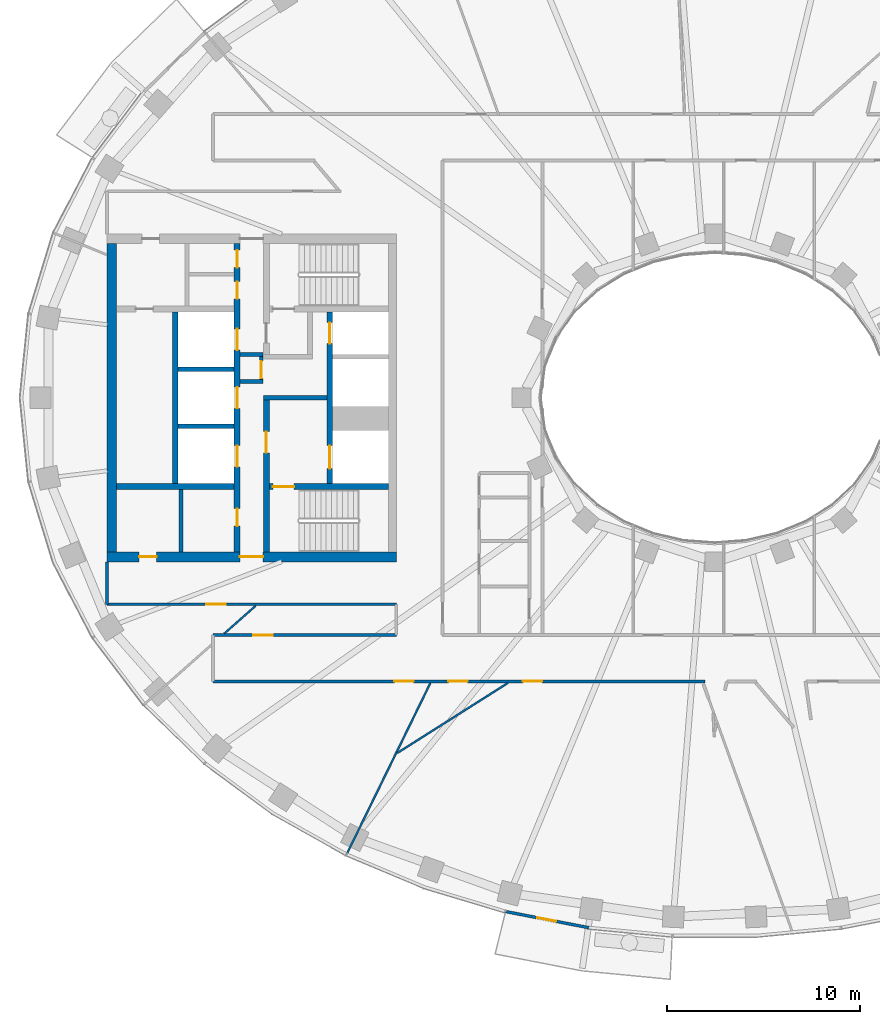
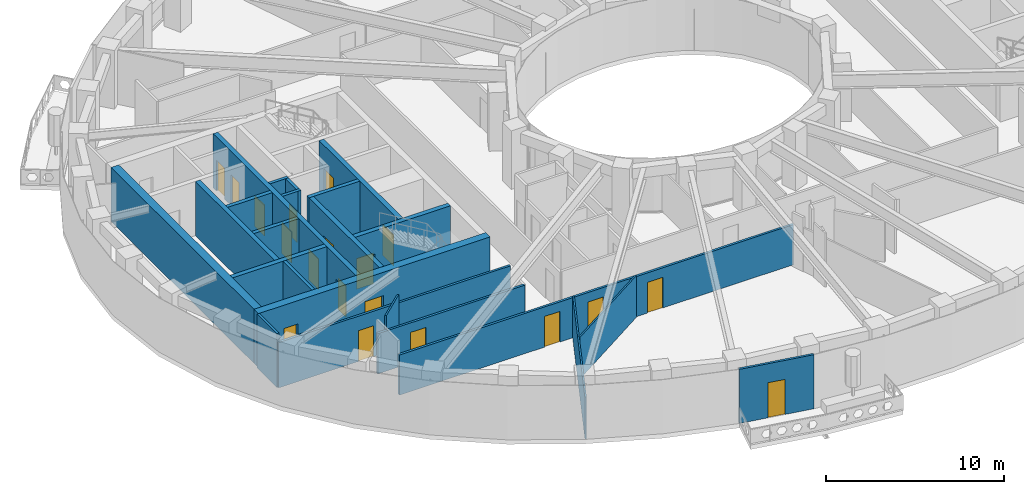
# One storey, part 3 of 16: 23 walls, 19 doors, 19 openings.
"""IFC4 building model written with IfcOpenShell, lengths in metres."""

from ifc_helpers import new_model, si_unit, direction, frame, frame_2d, origin, place, context, subcontext, project, spatial, rectangle, extrude, material, layer, layer_set, type_object, element, fill, save


model = new_model("IFC4")

# Units and contexts
model_context = context("Model", 3, precision=1e-05, world=origin(), true_north=direction((0.0, 1.0)))
body_context = subcontext(model_context, "Body", "Model", "MODEL_VIEW")
ifc_project = project(units=[si_unit("LENGTHUNIT", "METRE"), si_unit("AREAUNIT", "SQUARE_METRE"), si_unit("VOLUMEUNIT", "CUBIC_METRE"), si_unit("PLANEANGLEUNIT", "RADIAN"), si_unit("MASSUNIT", "GRAM", prefix="KILO")], contexts=[model_context])

# Site, building, storey
site_placement = place(None, origin())
site = spatial("IfcSite", under=ifc_project, at=site_placement, CompositionType="ELEMENT")
building_placement = place(site_placement, origin())
building = spatial("IfcBuilding", under=site, at=building_placement, Name="Noorbagh Ring Tower", CompositionType="ELEMENT")
storey_placement = place(building_placement, frame((0.0, 0.0, 249.5)))
storey = spatial("IfcBuildingStorey", under=building, at=storey_placement, Name="L52", CompositionType="ELEMENT", Elevation=249.5)

# Walls
ifc_material_1 = material(Name="Gypsum board on steel studs", Category="steel")
ifc_layer_1 = layer(ifc_material_1, 0.199951171875)
ifc_layer_set_1 = layer_set([ifc_layer_1], Name="Gypsum board on steel studs")
wall_type_1 = type_object("IfcWallType", Name="CORE-PARTITION-200", PredefinedType="PARTITIONING", material=ifc_layer_set_1)
for number, where, z_axis, x_axis, name in (
    (1, (-23.39990234375, 0.85009765625, 0.0), (0.0, 0.0, 1.0), (-1.0, 0.0, 0.0), "Core partition W"),
    (2, (-23.39990234375, 2.25, 0.0), (0.0, 0.0, 1.0), (-1.0, 0.0, 0.0), "Core partition W"),
):
    element("IfcWall", number, at=place(storey_placement, frame(where, z_axis=z_axis, x_axis=x_axis)), inside=storey, type_object=wall_type_1, Name=name, PredefinedType="PARTITIONING", context=body_context, shape_type="SweptSolid", body=[
        extrude(rectangle(XDim=1.2001953125, YDim=0.199951171875, at=frame_2d((0.60009765625, 0.0))), origin(), (0.0, 0.0, 1.0), 3.699951171875),
    ])

# Wall, opening, door
wall_1_placement = place(storey_placement, frame((-23.5, 0.75, 0.0), z_axis=(0.0, 0.0, 1.0), x_axis=(0.0, 1.0, 0.0)))
wall_1 = element("IfcWall", 3, at=wall_1_placement, inside=storey, type_object=wall_type_1, Name="Core partition W", PredefinedType="PARTITIONING", context=body_context, shape_type="SweptSolid", body=[
    extrude(rectangle(XDim=1.60009765625, YDim=0.199951171875, at=frame_2d((0.800048828125, 0.0))), origin(), (0.0, 0.0, 1.0), 3.699951171875),
])
opening_1_placement = place(wall_1_placement, frame((0.25, 0.0, 0.0)))
opening_1 = element("IfcOpeningElement", 4, at=opening_1_placement, cuts=wall_1, Name="Opening L52-CW17", PredefinedType="OPENING", context=body_context, shape_type="SweptSolid", body=[
    extrude(rectangle(XDim=0.89990234375, YDim=2.10009765625, at=frame_2d((0.449951171875, 1.050048828125))), frame((0.0, 0.10986328125, 0.0), z_axis=(0.0, -1.0, 0.0), x_axis=(1.0, 0.0, 0.0)), (0.0, 0.0, 1.0), 0.219970703125),
])
ifc_material_2 = material(Name="Steel door leaf", Category="steel")
door_type_1 = type_object("IfcDoorType", Name="CORE-DOOR-DROOM", OperationType="SINGLE_SWING_LEFT", PredefinedType="DOOR", material=ifc_material_2)
door_1_placement = place(opening_1_placement, origin())
door_1 = element("IfcDoor", 5, at=door_1_placement, inside=storey, type_object=door_type_1, Name="Core room door L52-CW17", OperationType="SINGLE_SWING_RIGHT", OverallHeight=2.10009765625, OverallWidth=0.89990234375, PredefinedType="DOOR", context=body_context, shape_type="SweptSolid", body=[
    extrude(rectangle(XDim=0.89990234375, YDim=2.10009765625, at=frame_2d((0.449951171875, 1.050048828125))), frame((0.0, 0.02490234375, 0.0), z_axis=(0.0, -1.0, 0.0), x_axis=(1.0, 0.0, 0.0)), (0.0, 0.0, 1.0), 0.050048828125),
])
fill(opening_1, door_1)

# Walls
wall_2_placement = place(storey_placement, frame((-27.64990234375, -8.0, 0.0), z_axis=(0.0, 0.0, 1.0), x_axis=(0.0, 1.0, 0.0)))
element("IfcWall", 6, at=wall_2_placement, inside=storey, type_object=wall_type_1, Name="Core partition W", PredefinedType="PARTITIONING", context=body_context, shape_type="SweptSolid", body=[
    extrude(rectangle(XDim=3.25, YDim=0.199951171875, at=frame_2d((1.625, 0.0))), origin(), (0.0, 0.0, 1.0), 3.699951171875),
])
ifc_material_3 = material(Name="Concrete C60/75", Category="concrete")
ifc_layer_2 = layer(ifc_material_3, 0.25)
ifc_layer_set_2 = layer_set([ifc_layer_2], Name="Concrete C60/75")
wall_type_2 = type_object("IfcWallType", Name="CORE-WALL-250-C60-75-EI120", PredefinedType="SHEAR", material=ifc_layer_set_2)
for number, where, z_axis, x_axis, name in (
    (7, (-24.89990234375, -1.47509765625, 0.0), (0.0, 0.0, 1.0), (-1.0, 0.0, 0.0), "Core wall W"),
    (8, (-24.89990234375, 1.47509765625, 0.0), (0.0, 0.0, 1.0), (-1.0, 0.0, 0.0), "Core wall W"),
):
    element("IfcWall", number, at=place(storey_placement, frame(where, z_axis=z_axis, x_axis=x_axis)), inside=storey, type_object=wall_type_2, Name=name, PredefinedType="SHEAR", context=body_context, shape_type="SweptSolid", body=[
        extrude(rectangle(XDim=2.900146484375, YDim=0.25, at=frame_2d((1.4501953125, 0.0))), origin(), (0.0, 0.0, 1.0), 3.699951171875),
    ])
ifc_material_4 = material(Name="Concrete C60/75", Category="concrete")
ifc_layer_3 = layer(ifc_material_4, 0.25)
ifc_layer_set_3 = layer_set([ifc_layer_3], Name="Concrete C60/75")
wall_type_3 = type_object("IfcWallType", Name="CORE-WALL-250-C60-75-EI240", PredefinedType="SHEAR", material=ifc_layer_set_3)
wall_3_placement = place(storey_placement, frame((-20.10009765625, 0.0, 0.0), z_axis=(0.0, 0.0, 1.0), x_axis=(-1.0, 0.0, 0.0)))
element("IfcWall", 9, at=wall_3_placement, inside=storey, type_object=wall_type_3, Name="Core wall W", PredefinedType="SHEAR", context=body_context, shape_type="SweptSolid", body=[
    extrude(rectangle(XDim=3.27978515625, YDim=0.25, at=frame_2d((1.639892578125, 0.0))), origin(), (0.0, 0.0, 1.0), 3.699951171875),
])
ifc_material_5 = material(Name="Concrete C60/75", Category="concrete")
ifc_layer_4 = layer(ifc_material_5, 0.300048828125)
ifc_layer_set_4 = layer_set([ifc_layer_4], Name="Concrete C60/75")
wall_type_4 = type_object("IfcWallType", Name="CORE-WALL-300-C60-75-EI120", PredefinedType="SHEAR", material=ifc_layer_set_4)
wall_4_placement = place(storey_placement, frame((-27.949951171875, -4.449951171875, 0.0), z_axis=(0.0, 0.0, 1.0), x_axis=(0.0, 1.0, 0.0)))
element("IfcWall", 10, at=wall_4_placement, inside=storey, type_object=wall_type_4, Name="Core wall W", PredefinedType="SHEAR", context=body_context, shape_type="SweptSolid", body=[
    extrude(rectangle(XDim=8.89990234375, YDim=0.300048828125, at=frame_2d((4.449951171875, 0.0))), origin(), (0.0, 0.0, 1.0), 3.699951171875),
])

# Wall, openings, doors
wall_5_placement = place(storey_placement, frame((-19.949951171875, -4.449951171875, 0.0), z_axis=(0.0, 0.0, 1.0), x_axis=(0.0, 1.0, 0.0)))
wall_5 = element("IfcWall", 11, at=wall_5_placement, inside=storey, type_object=wall_type_4, Name="Core wall W", PredefinedType="SHEAR", context=body_context, shape_type="SweptSolid", body=[
    extrude(rectangle(XDim=8.89990234375, YDim=0.300048828125, at=frame_2d((4.449951171875, 0.0))), origin(), (0.0, 0.0, 1.0), 3.699951171875),
])
opening_2_placement = place(wall_5_placement, frame((0.77490234375, 0.0, 0.0)))
opening_2 = element("IfcOpeningElement", 12, at=opening_2_placement, cuts=wall_5, Name="Opening L52-CW01", PredefinedType="OPENING", context=body_context, shape_type="SweptSolid", body=[
    extrude(rectangle(XDim=1.199951171875, YDim=2.10009765625, at=frame_2d((0.60009765625, 1.050048828125))), frame((0.0, 0.16015625, 0.0), z_axis=(0.0, -1.0, 0.0), x_axis=(1.0, 0.0, 0.0)), (0.0, 0.0, 1.0), 0.320068359375),
])
opening_3_placement = place(wall_5_placement, frame((7.25, 0.0, 0.0)))
opening_3 = element("IfcOpeningElement", 13, at=opening_3_placement, cuts=wall_5, Name="Opening L52-CW02", PredefinedType="OPENING", context=body_context, shape_type="SweptSolid", body=[
    extrude(rectangle(XDim=1.10009765625, YDim=2.10009765625, at=frame_2d((0.550048828125, 1.050048828125))), frame((0.0, 0.16015625, 0.0), z_axis=(0.0, -1.0, 0.0), x_axis=(1.0, 0.0, 0.0)), (0.0, 0.0, 1.0), 0.320068359375),
])
ifc_material_6 = material(Name="Steel door leaf", Category="steel")
door_type_2 = type_object("IfcDoorType", Name="CORE-DOOR-LD", OperationType="DOUBLE_DOOR_SLIDING", PredefinedType="DOOR", material=ifc_material_6)
door_2_placement = place(opening_3_placement, origin())
door_2 = element("IfcDoor", 14, at=door_2_placement, inside=storey, type_object=door_type_2, Name="Landing door HR1 L52-CW02", OperationType="DOUBLE_DOOR_SLIDING", OverallHeight=2.10009765625, OverallWidth=1.10009765625, PredefinedType="DOOR", context=body_context, shape_type="SweptSolid", body=[
    extrude(rectangle(XDim=1.10009765625, YDim=2.10009765625, at=frame_2d((0.550048828125, 1.050048828125))), frame((0.0, 0.02490234375, 0.0), z_axis=(0.0, -1.0, 0.0), x_axis=(1.0, 0.0, 0.0)), (0.0, 0.0, 1.0), 0.050048828125),
])
fill(opening_3, door_2)
ifc_material_7 = material(Name="Steel door leaf", Category="steel")
door_type_3 = type_object("IfcDoorType", Name="CORE-DOOR-LDW", OperationType="DOUBLE_DOOR_SLIDING", PredefinedType="DOOR", material=ifc_material_7)
door_3_placement = place(opening_2_placement, origin())
door_3 = element("IfcDoor", 15, at=door_3_placement, inside=storey, type_object=door_type_3, Name="Landing door FF1 L52-CW01", OperationType="DOUBLE_DOOR_SLIDING", OverallHeight=2.10009765625, OverallWidth=1.199951171875, PredefinedType="DOOR", context=body_context, shape_type="SweptSolid", body=[
    extrude(rectangle(XDim=1.199951171875, YDim=2.10009765625, at=frame_2d((0.60009765625, 1.050048828125))), frame((0.0, 0.02490234375, 0.0), z_axis=(0.0, -1.0, 0.0), x_axis=(1.0, 0.0, 0.0)), (0.0, 0.0, 1.0), 0.050048828125),
])
fill(opening_2, door_3)

wall_6_placement = place(storey_placement, frame((-24.75, -8.0, 0.0), z_axis=(0.0, 0.0, 1.0), x_axis=(0.0, 1.0, 0.0)))
wall_6 = element("IfcWall", 16, at=wall_6_placement, inside=storey, type_object=wall_type_4, Name="Core wall W", PredefinedType="SHEAR", context=body_context, shape_type="SweptSolid", body=[
    extrude(rectangle(XDim=16.0, YDim=0.300048828125, at=frame_2d((8.0, 0.0))), origin(), (0.0, 0.0, 1.0), 3.699951171875),
])
opening_4_placement = place(wall_6_placement, frame((4.425048828125, 0.0, 0.0)))
opening_4 = element("IfcOpeningElement", 17, at=opening_4_placement, cuts=wall_6, Name="Opening L52-CW03", PredefinedType="OPENING", context=body_context, shape_type="SweptSolid", body=[
    extrude(rectangle(XDim=1.10009765625, YDim=2.10009765625, at=frame_2d((0.550048828125, 1.050048828125))), frame((0.0, 0.16015625, 0.0), z_axis=(0.0, -1.0, 0.0), x_axis=(1.0, 0.0, 0.0)), (0.0, 0.0, 1.0), 0.320068359375),
])
opening_5_placement = place(wall_6_placement, frame((7.449951171875, 0.0, 0.0)))
opening_5 = element("IfcOpeningElement", 18, at=opening_5_placement, cuts=wall_6, Name="Opening L52-CW04", PredefinedType="OPENING", context=body_context, shape_type="SweptSolid", body=[
    extrude(rectangle(XDim=1.10009765625, YDim=2.10009765625, at=frame_2d((0.550048828125, 1.050048828125))), frame((0.0, 0.16015625, 0.0), z_axis=(0.0, -1.0, 0.0), x_axis=(1.0, 0.0, 0.0)), (0.0, 0.0, 1.0), 0.320068359375),
])
opening_6_placement = place(wall_6_placement, frame((10.47509765625, 0.0, 0.0)))
opening_6 = element("IfcOpeningElement", 19, at=opening_6_placement, cuts=wall_6, Name="Opening L52-CW05", PredefinedType="OPENING", context=body_context, shape_type="SweptSolid", body=[
    extrude(rectangle(XDim=1.10009765625, YDim=2.10009765625, at=frame_2d((0.550048828125, 1.050048828125))), frame((0.0, 0.16015625, 0.0), z_axis=(0.0, -1.0, 0.0), x_axis=(1.0, 0.0, 0.0)), (0.0, 0.0, 1.0), 0.320068359375),
])
opening_7_placement = place(wall_6_placement, frame((13.125, 0.0, 0.0)))
opening_7 = element("IfcOpeningElement", 20, at=opening_7_placement, cuts=wall_6, Name="Opening L52-CW12", PredefinedType="OPENING", context=body_context, shape_type="SweptSolid", body=[
    extrude(rectangle(XDim=0.89990234375, YDim=2.10009765625, at=frame_2d((0.449951171875, 1.050048828125))), frame((0.0, 0.16015625, 0.0), z_axis=(0.0, -1.0, 0.0), x_axis=(1.0, 0.0, 0.0)), (0.0, 0.0, 1.0), 0.320068359375),
])
opening_8_placement = place(wall_6_placement, frame((14.75, 0.0, 0.0)))
opening_8 = element("IfcOpeningElement", 21, at=opening_8_placement, cuts=wall_6, Name="Opening L52-CW13", PredefinedType="OPENING", context=body_context, shape_type="SweptSolid", body=[
    extrude(rectangle(XDim=0.89990234375, YDim=2.10009765625, at=frame_2d((0.449951171875, 1.050048828125))), frame((0.0, 0.16015625, 0.0), z_axis=(0.0, -1.0, 0.0), x_axis=(1.0, 0.0, 0.0)), (0.0, 0.0, 1.0), 0.320068359375),
])
opening_9_placement = place(wall_6_placement, frame((1.35009765625, 0.0, 0.0)))
opening_9 = element("IfcOpeningElement", 22, at=opening_9_placement, cuts=wall_6, Name="Opening L52-CW15", PredefinedType="OPENING", context=body_context, shape_type="SweptSolid", body=[
    extrude(rectangle(XDim=0.89990234375, YDim=2.10009765625, at=frame_2d((0.449951171875, 1.050048828125))), frame((0.0, 0.16015625, 0.0), z_axis=(0.0, -1.0, 0.0), x_axis=(1.0, 0.0, 0.0)), (0.0, 0.0, 1.0), 0.320068359375),
])
door_4_placement = place(opening_7_placement, origin())
door_4 = element("IfcDoor", 23, at=door_4_placement, inside=storey, type_object=door_type_1, Name="Core room door L52-CW12", OperationType="SINGLE_SWING_LEFT", OverallHeight=2.10009765625, OverallWidth=0.89990234375, PredefinedType="DOOR", context=body_context, shape_type="SweptSolid", body=[
    extrude(rectangle(XDim=0.89990234375, YDim=2.10009765625, at=frame_2d((0.449951171875, 1.050048828125))), frame((0.0, 0.02490234375, 0.0), z_axis=(0.0, -1.0, 0.0), x_axis=(1.0, 0.0, 0.0)), (0.0, 0.0, 1.0), 0.050048828125),
])
fill(opening_7, door_4)
door_5_placement = place(opening_8_placement, origin())
door_5 = element("IfcDoor", 24, at=door_5_placement, inside=storey, type_object=door_type_1, Name="Core room door L52-CW13", OperationType="SINGLE_SWING_RIGHT", OverallHeight=2.10009765625, OverallWidth=0.89990234375, PredefinedType="DOOR", context=body_context, shape_type="SweptSolid", body=[
    extrude(rectangle(XDim=0.89990234375, YDim=2.10009765625, at=frame_2d((0.449951171875, 1.050048828125))), frame((0.0, 0.02490234375, 0.0), z_axis=(0.0, -1.0, 0.0), x_axis=(1.0, 0.0, 0.0)), (0.0, 0.0, 1.0), 0.050048828125),
])
fill(opening_8, door_5)
door_6_placement = place(opening_9_placement, origin())
door_6 = element("IfcDoor", 25, at=door_6_placement, inside=storey, type_object=door_type_1, Name="Core room door L52-CW15", OperationType="SINGLE_SWING_LEFT", OverallHeight=2.10009765625, OverallWidth=0.89990234375, PredefinedType="DOOR", context=body_context, shape_type="SweptSolid", body=[
    extrude(rectangle(XDim=0.89990234375, YDim=2.10009765625, at=frame_2d((0.449951171875, 1.050048828125))), frame((0.0, 0.02490234375, 0.0), z_axis=(0.0, -1.0, 0.0), x_axis=(1.0, 0.0, 0.0)), (0.0, 0.0, 1.0), 0.050048828125),
])
fill(opening_9, door_6)
door_7_placement = place(opening_4_placement, origin())
door_7 = element("IfcDoor", 26, at=door_7_placement, inside=storey, type_object=door_type_2, Name="Landing door HR2 L52-CW03", OperationType="DOUBLE_DOOR_SLIDING", OverallHeight=2.10009765625, OverallWidth=1.10009765625, PredefinedType="DOOR", context=body_context, shape_type="SweptSolid", body=[
    extrude(rectangle(XDim=1.10009765625, YDim=2.10009765625, at=frame_2d((0.550048828125, 1.050048828125))), frame((0.0, 0.02490234375, 0.0), z_axis=(0.0, -1.0, 0.0), x_axis=(1.0, 0.0, 0.0)), (0.0, 0.0, 1.0), 0.050048828125),
])
fill(opening_4, door_7)
door_8_placement = place(opening_5_placement, origin())
door_8 = element("IfcDoor", 27, at=door_8_placement, inside=storey, type_object=door_type_2, Name="Landing door HR3 L52-CW04", OperationType="DOUBLE_DOOR_SLIDING", OverallHeight=2.10009765625, OverallWidth=1.10009765625, PredefinedType="DOOR", context=body_context, shape_type="SweptSolid", body=[
    extrude(rectangle(XDim=1.10009765625, YDim=2.10009765625, at=frame_2d((0.550048828125, 1.050048828125))), frame((0.0, 0.02490234375, 0.0), z_axis=(0.0, -1.0, 0.0), x_axis=(1.0, 0.0, 0.0)), (0.0, 0.0, 1.0), 0.050048828125),
])
fill(opening_5, door_8)
door_9_placement = place(opening_6_placement, origin())
door_9 = element("IfcDoor", 28, at=door_9_placement, inside=storey, type_object=door_type_2, Name="Landing door HR4 L52-CW05", OperationType="DOUBLE_DOOR_SLIDING", OverallHeight=2.10009765625, OverallWidth=1.10009765625, PredefinedType="DOOR", context=body_context, shape_type="SweptSolid", body=[
    extrude(rectangle(XDim=1.10009765625, YDim=2.10009765625, at=frame_2d((0.550048828125, 1.050048828125))), frame((0.0, 0.02490234375, 0.0), z_axis=(0.0, -1.0, 0.0), x_axis=(1.0, 0.0, 0.0)), (0.0, 0.0, 1.0), 0.050048828125),
])
fill(opening_6, door_9)

# Wall
ifc_material_8 = material(Name="Concrete C60/75", Category="concrete")
ifc_layer_5 = layer(ifc_material_8, 0.300048828125)
ifc_layer_set_5 = layer_set([ifc_layer_5], Name="Concrete C60/75")
wall_type_5 = type_object("IfcWallType", Name="CORE-WALL-300-C60-75-EI240", PredefinedType="SHEAR", material=ifc_layer_set_5)
wall_7_placement = place(storey_placement, frame((-24.89990234375, -4.60009765625, 0.0), z_axis=(0.0, 0.0, 1.0), x_axis=(-1.0, 0.0, 0.0)))
element("IfcWall", 29, at=wall_7_placement, inside=storey, type_object=wall_type_5, Name="Core wall W", PredefinedType="SHEAR", context=body_context, shape_type="SweptSolid", body=[
    extrude(rectangle(XDim=6.10009765625, YDim=0.300048828125, at=frame_2d((3.050048828125, 0.0))), origin(), (0.0, 0.0, 1.0), 3.699951171875),
])

# Wall, opening, door
wall_8_placement = place(storey_placement, frame((-23.22998046875, -8.0, 0.0), z_axis=(0.0, 0.0, 1.0), x_axis=(0.0, 1.0, 0.0)))
wall_8 = element("IfcWall", 30, at=wall_8_placement, inside=storey, type_object=wall_type_5, Name="Core wall W", PredefinedType="SHEAR", context=body_context, shape_type="SweptSolid", body=[
    extrude(rectangle(XDim=7.875, YDim=0.300048828125, at=frame_2d((3.9375, 0.0))), origin(), (0.0, 0.0, 1.0), 3.699951171875),
])
opening_10_placement = place(wall_8_placement, frame((5.14990234375, 0.0, 0.0)))
opening_10 = element("IfcOpeningElement", 31, at=opening_10_placement, cuts=wall_8, Name="Opening L52-CW08", PredefinedType="OPENING", context=body_context, shape_type="SweptSolid", body=[
    extrude(rectangle(XDim=1.10009765625, YDim=2.10009765625, at=frame_2d((0.550048828125, 1.050048828125))), frame((0.0, 0.16015625, 0.0), z_axis=(0.0, -1.0, 0.0), x_axis=(1.0, 0.0, 0.0)), (0.0, 0.0, 1.0), 0.320068359375),
])
ifc_material_9 = material(Name="Steel door leaf", Category="steel")
door_type_4 = type_object("IfcDoorType", Name="CORE-DOOR-DFF", OperationType="SINGLE_SWING_LEFT", PredefinedType="DOOR", material=ifc_material_9)
door_10_placement = place(opening_10_placement, origin())
door_10 = element("IfcDoor", 32, at=door_10_placement, inside=storey, type_object=door_type_4, Name="Firefighting lobby door L52-CW08", OperationType="SINGLE_SWING_LEFT", OverallHeight=2.10009765625, OverallWidth=1.10009765625, PredefinedType="DOOR", context=body_context, shape_type="SweptSolid", body=[
    extrude(rectangle(XDim=1.10009765625, YDim=2.10009765625, at=frame_2d((0.550048828125, 1.050048828125))), frame((0.0, 0.02490234375, 0.0), z_axis=(0.0, -1.0, 0.0), x_axis=(1.0, 0.0, 0.0)), (0.0, 0.0, 1.0), 0.050048828125),
])
fill(opening_10, door_10)

wall_9_placement = place(storey_placement, frame((-16.89990234375, -4.60009765625, 0.0), z_axis=(0.0, 0.0, 1.0), x_axis=(-1.0, 0.0, 0.0)))
wall_9 = element("IfcWall", 33, at=wall_9_placement, inside=storey, type_object=wall_type_5, Name="Core wall W", PredefinedType="SHEAR", context=body_context, shape_type="SweptSolid", body=[
    extrude(rectangle(XDim=6.18017578125, YDim=0.300048828125, at=frame_2d((3.090087890625, 0.0))), origin(), (0.0, 0.0, 1.0), 3.699951171875),
])
opening_11_placement = place(wall_9_placement, frame((4.89990234375, 0.0, 0.0)))
opening_11 = element("IfcOpeningElement", 34, at=opening_11_placement, cuts=wall_9, Name="Opening L52-CW07", PredefinedType="OPENING", context=body_context, shape_type="SweptSolid", body=[
    extrude(rectangle(XDim=1.10009765625, YDim=2.10009765625, at=frame_2d((0.550048828125, 1.050048828125))), frame((0.0, 0.16015625, 0.0), z_axis=(0.0, -1.0, 0.0), x_axis=(1.0, 0.0, 0.0)), (0.0, 0.0, 1.0), 0.320068359375),
])
ifc_material_10 = material(Name="Steel door leaf", Category="steel")
door_type_5 = type_object("IfcDoorType", Name="CORE-DOOR-DSTAIR", OperationType="SINGLE_SWING_LEFT", PredefinedType="DOOR", material=ifc_material_10)
door_11_placement = place(opening_11_placement, origin())
door_11 = element("IfcDoor", 35, at=door_11_placement, inside=storey, type_object=door_type_5, Name="Stair door ST2 L52-CW07", OperationType="SINGLE_SWING_LEFT", OverallHeight=2.10009765625, OverallWidth=1.10009765625, PredefinedType="DOOR", context=body_context, shape_type="SweptSolid", body=[
    extrude(rectangle(XDim=1.10009765625, YDim=2.10009765625, at=frame_2d((0.550048828125, 1.050048828125))), frame((0.0, 0.02490234375, 0.0), z_axis=(0.0, -1.0, 0.0), x_axis=(1.0, 0.0, 0.0)), (0.0, 0.0, 1.0), 0.050048828125),
])
fill(opening_11, door_11)

# Wall, openings, doors
ifc_material_11 = material(Name="Concrete C60/75", Category="concrete")
ifc_layer_6 = layer(ifc_material_11, 0.5)
ifc_layer_set_6 = layer_set([ifc_layer_6], Name="Concrete C60/75")
wall_type_6 = type_object("IfcWallType", Name="CORE-WALL-500-C60-75-EI240", PredefinedType="SHEAR", material=ifc_layer_set_6)
wall_10_placement = place(storey_placement, frame((-16.5, -8.25, 0.0), z_axis=(0.0, 0.0, 1.0), x_axis=(-1.0, 0.0, 0.0)))
wall_10 = element("IfcWall", 36, at=wall_10_placement, inside=storey, type_object=wall_type_6, Name="Core wall W", PredefinedType="SHEAR", context=body_context, shape_type="SweptSolid", body=[
    extrude(rectangle(XDim=15.0, YDim=0.5, at=frame_2d((7.5, 0.0))), origin(), (0.0, 0.0, 1.0), 3.699951171875),
])
opening_12_placement = place(wall_10_placement, frame((6.89990234375, 0.0, 0.0)))
opening_12 = element("IfcOpeningElement", 37, at=opening_12_placement, cuts=wall_10, Name="Opening L52-CW11", PredefinedType="OPENING", context=body_context, shape_type="SweptSolid", body=[
    extrude(rectangle(XDim=1.199951171875, YDim=2.10009765625, at=frame_2d((0.60009765625, 1.050048828125))), frame((0.0, 0.260009765625, 0.0), z_axis=(0.0, -1.0, 0.0), x_axis=(1.0, 0.0, 0.0)), (0.0, 0.0, 1.0), 0.52001953125),
])
opening_13_placement = place(wall_10_placement, frame((12.425048828125, 0.0, 0.0)))
opening_13 = element("IfcOpeningElement", 38, at=opening_13_placement, cuts=wall_10, Name="Opening L52-CW16", PredefinedType="OPENING", context=body_context, shape_type="SweptSolid", body=[
    extrude(rectangle(XDim=0.89990234375, YDim=2.10009765625, at=frame_2d((0.449951171875, 1.050048828125))), frame((0.0, 0.260009765625, 0.0), z_axis=(0.0, -1.0, 0.0), x_axis=(1.0, 0.0, 0.0)), (0.0, 0.0, 1.0), 0.52001953125),
])
door_12_placement = place(opening_13_placement, origin())
door_12 = element("IfcDoor", 39, at=door_12_placement, inside=storey, type_object=door_type_1, Name="Core room door L52-CW16", OperationType="SINGLE_SWING_LEFT", OverallHeight=2.10009765625, OverallWidth=0.89990234375, PredefinedType="DOOR", context=body_context, shape_type="SweptSolid", body=[
    extrude(rectangle(XDim=0.89990234375, YDim=2.10009765625, at=frame_2d((0.449951171875, 1.050048828125))), frame((0.0, 0.02490234375, 0.0), z_axis=(0.0, -1.0, 0.0), x_axis=(1.0, 0.0, 0.0)), (0.0, 0.0, 1.0), 0.050048828125),
])
fill(opening_13, door_12)
ifc_material_12 = material(Name="Steel door leaf", Category="steel")
door_type_6 = type_object("IfcDoorType", Name="CORE-DOOR-PORT", OperationType="DOUBLE_DOOR_DOUBLE_SWING", PredefinedType="DOOR", material=ifc_material_12)
door_13_placement = place(opening_12_placement, origin())
door_13 = element("IfcDoor", 40, at=door_13_placement, inside=storey, type_object=door_type_6, Name="Core entrance door L52-CW11", OperationType="DOUBLE_DOOR_DOUBLE_SWING", OverallHeight=2.10009765625, OverallWidth=1.199951171875, PredefinedType="DOOR", context=body_context, shape_type="SweptSolid", body=[
    extrude(rectangle(XDim=1.199951171875, YDim=2.10009765625, at=frame_2d((0.60009765625, 1.050048828125))), frame((0.0, 0.02490234375, 0.0), z_axis=(0.0, -1.0, 0.0), x_axis=(1.0, 0.0, 0.0)), (0.0, 0.0, 1.0), 0.050048828125),
])
fill(opening_12, door_13)

# Walls
wall_11_placement = place(storey_placement, frame((-31.25, -8.0, 0.0), z_axis=(0.0, 0.0, 1.0), x_axis=(0.0, 1.0, 0.0)))
element("IfcWall", 41, at=wall_11_placement, inside=storey, type_object=wall_type_6, Name="Core wall W", PredefinedType="SHEAR", context=body_context, shape_type="SweptSolid", body=[
    extrude(rectangle(XDim=16.0, YDim=0.5, at=frame_2d((8.0, 0.0))), origin(), (0.0, 0.0, 1.0), 3.699951171875),
])
ifc_material_13 = material(Name="Gypsum board on steel studs", Category="steel")
ifc_layer_7 = layer(ifc_material_13, 0.14990234375)
ifc_layer_set_7 = layer_set([ifc_layer_7], Name="Gypsum board on steel studs")
wall_type_7 = type_object("IfcWallType", Name="CORRIDOR PARTITION 150 EI 30", PredefinedType="PARTITIONING", material=ifc_layer_set_7)
wall_12_placement = place(storey_placement, frame((-31.5, -10.699951171875, 0.0), z_axis=(0.0, 0.0, 1.0), x_axis=(0.0, 1.0, 0.0)))
element("IfcWall", 42, at=wall_12_placement, inside=storey, type_object=wall_type_7, Name="L52/wall/P02", PredefinedType="PARTITIONING", context=body_context, shape_type="SweptSolid", body=[
    extrude(rectangle(XDim=2.199951171875, YDim=0.14990234375, at=frame_2d((1.10009765625, 0.0))), origin(), (0.0, 0.0, 1.0), 3.699951171875),
])

# Wall, opening, door
wall_13_placement = place(storey_placement, frame((-31.5, -10.699951171875, 0.0), z_axis=(0.0, 0.0, 1.0), x_axis=(1.0, 0.0, 0.0)))
wall_13 = element("IfcWall", 43, at=wall_13_placement, inside=storey, type_object=wall_type_7, Name="L52/wall/P03", PredefinedType="PARTITIONING", context=body_context, shape_type="SweptSolid", body=[
    extrude(rectangle(XDim=15.0, YDim=0.14990234375, at=frame_2d((7.5, 0.0))), origin(), (0.0, 0.0, 1.0), 3.10009765625),
])
opening_14_placement = place(wall_13_placement, frame((5.14990234375, 0.0, 0.0)))
opening_14 = element("IfcOpeningElement", 44, at=opening_14_placement, cuts=wall_13, Name="Opening D1", PredefinedType="OPENING", context=body_context, shape_type="SweptSolid", body=[
    extrude(rectangle(XDim=1.0, YDim=2.10009765625, at=frame_2d((0.5, 1.050048828125))), frame((0.0, 0.0849609375, 0.0), z_axis=(0.0, -1.0, 0.0), x_axis=(1.0, 0.0, 0.0)), (0.0, 0.0, 1.0), 0.169921875),
])
ifc_material_14 = material(Name="Timber, painted", Category="wood")
door_type_7 = type_object("IfcDoorType", Name="DOOR 1000 X 2100 FD30", OperationType="SINGLE_SWING_LEFT", PredefinedType="DOOR", material=ifc_material_14)
door_14_placement = place(opening_14_placement, origin())
door_14 = element("IfcDoor", 45, at=door_14_placement, inside=storey, type_object=door_type_7, Name="L52-D06", OperationType="SINGLE_SWING_RIGHT", OverallHeight=2.10009765625, OverallWidth=1.0, PredefinedType="DOOR", context=body_context, shape_type="SweptSolid", body=[
    extrude(rectangle(XDim=1.0, YDim=2.10009765625, at=frame_2d((0.5, 1.050048828125))), frame((0.0, 0.02490234375, 0.0), z_axis=(0.0, -1.0, 0.0), x_axis=(1.0, 0.0, 0.0)), (0.0, 0.0, 1.0), 0.050048828125),
])
fill(opening_14, door_14)

# Wall, openings, doors
wall_14_placement = place(storey_placement, frame((-26.0, -14.699951171875, 0.0), z_axis=(0.0, 0.0, 1.0), x_axis=(1.0, 0.0, 0.0)))
wall_14 = element("IfcWall", 46, at=wall_14_placement, inside=storey, type_object=wall_type_7, Name="L52/wall/P09", PredefinedType="PARTITIONING", context=body_context, shape_type="SweptSolid", body=[
    extrude(rectangle(XDim=25.507080078125, YDim=0.14990234375, at=frame_2d((12.75341796875, 0.0))), origin(), (0.0, 0.0, 1.0), 2.75),
])
opening_15_placement = place(wall_14_placement, frame((9.39990234375, 0.0, 0.0)))
opening_15 = element("IfcOpeningElement", 47, at=opening_15_placement, cuts=wall_14, Name="Opening D1", PredefinedType="OPENING", context=body_context, shape_type="SweptSolid", body=[
    extrude(rectangle(XDim=1.0, YDim=2.10009765625, at=frame_2d((0.5, 1.050048828125))), frame((0.0, 0.0849609375, 0.0), z_axis=(0.0, -1.0, 0.0), x_axis=(1.0, 0.0, 0.0)), (0.0, 0.0, 1.0), 0.169921875),
])
opening_16_placement = place(wall_14_placement, frame((16.053955078125, 0.0, 0.0)))
opening_16 = element("IfcOpeningElement", 48, at=opening_16_placement, cuts=wall_14, Name="Opening D1", PredefinedType="OPENING", context=body_context, shape_type="SweptSolid", body=[
    extrude(rectangle(XDim=1.0, YDim=2.10009765625, at=frame_2d((0.5, 1.050048828125))), frame((0.0, 0.0849609375, 0.0), z_axis=(0.0, -1.0, 0.0), x_axis=(1.0, 0.0, 0.0)), (0.0, 0.0, 1.0), 0.169921875),
])
opening_17_placement = place(wall_14_placement, frame((12.197998046875, 0.0, 0.0)))
opening_17 = element("IfcOpeningElement", 49, at=opening_17_placement, cuts=wall_14, Name="Opening D1", PredefinedType="OPENING", context=body_context, shape_type="SweptSolid", body=[
    extrude(rectangle(XDim=1.0, YDim=2.10009765625, at=frame_2d((0.5, 1.050048828125))), frame((0.0, 0.0849609375, 0.0), z_axis=(0.0, -1.0, 0.0), x_axis=(1.0, 0.0, 0.0)), (0.0, 0.0, 1.0), 0.169921875),
])
door_15_placement = place(opening_15_placement, origin())
door_15 = element("IfcDoor", 50, at=door_15_placement, inside=storey, type_object=door_type_7, Name="L52-D08", OperationType="SINGLE_SWING_RIGHT", OverallHeight=2.10009765625, OverallWidth=1.0, PredefinedType="DOOR", context=body_context, shape_type="SweptSolid", body=[
    extrude(rectangle(XDim=1.0, YDim=2.10009765625, at=frame_2d((0.5, 1.050048828125))), frame((0.0, 0.02490234375, 0.0), z_axis=(0.0, -1.0, 0.0), x_axis=(1.0, 0.0, 0.0)), (0.0, 0.0, 1.0), 0.050048828125),
])
fill(opening_15, door_15)
door_16_placement = place(opening_16_placement, origin())
door_16 = element("IfcDoor", 51, at=door_16_placement, inside=storey, type_object=door_type_7, Name="L52-D11", OperationType="SINGLE_SWING_LEFT", OverallHeight=2.10009765625, OverallWidth=1.0, PredefinedType="DOOR", context=body_context, shape_type="SweptSolid", body=[
    extrude(rectangle(XDim=1.0, YDim=2.10009765625, at=frame_2d((0.5, 1.050048828125))), frame((0.0, 0.02490234375, 0.0), z_axis=(0.0, -1.0, 0.0), x_axis=(1.0, 0.0, 0.0)), (0.0, 0.0, 1.0), 0.050048828125),
])
fill(opening_16, door_16)
door_17_placement = place(opening_17_placement, origin())
door_17 = element("IfcDoor", 52, at=door_17_placement, inside=storey, type_object=door_type_7, Name="L52-D12", OperationType="SINGLE_SWING_LEFT", OverallHeight=2.10009765625, OverallWidth=1.0, PredefinedType="DOOR", context=body_context, shape_type="SweptSolid", body=[
    extrude(rectangle(XDim=1.0, YDim=2.10009765625, at=frame_2d((0.5, 1.050048828125))), frame((0.0, 0.02490234375, 0.0), z_axis=(0.0, -1.0, 0.0), x_axis=(1.0, 0.0, 0.0)), (0.0, 0.0, 1.0), 0.050048828125),
])
fill(opening_17, door_17)

# Wall, opening, door
wall_15_placement = place(storey_placement, frame((-26.0, -12.300048828125, 0.0), z_axis=(0.0, 0.0, 1.0), x_axis=(1.0, 0.0, 0.0)))
wall_15 = element("IfcWall", 53, at=wall_15_placement, inside=storey, type_object=wall_type_7, Name="L52/wall/P10", PredefinedType="PARTITIONING", context=body_context, shape_type="SweptSolid", body=[
    extrude(rectangle(XDim=9.5, YDim=0.14990234375, at=frame_2d((4.75, 0.0))), origin(), (0.0, 0.0, 1.0), 2.75),
])
opening_18_placement = place(wall_15_placement, frame((2.10009765625, 0.0, 0.0)))
opening_18 = element("IfcOpeningElement", 54, at=opening_18_placement, cuts=wall_15, Name="Opening D1", PredefinedType="OPENING", context=body_context, shape_type="SweptSolid", body=[
    extrude(rectangle(XDim=1.0, YDim=2.10009765625, at=frame_2d((0.5, 1.050048828125))), frame((0.0, 0.0849609375, 0.0), z_axis=(0.0, -1.0, 0.0), x_axis=(1.0, 0.0, 0.0)), (0.0, 0.0, 1.0), 0.169921875),
])
door_18_placement = place(opening_18_placement, origin())
door_18 = element("IfcDoor", 55, at=door_18_placement, inside=storey, type_object=door_type_7, Name="L52-D10", OperationType="SINGLE_SWING_RIGHT", OverallHeight=2.10009765625, OverallWidth=1.0, PredefinedType="DOOR", context=body_context, shape_type="SweptSolid", body=[
    extrude(rectangle(XDim=1.0, YDim=2.10009765625, at=frame_2d((0.5, 1.050048828125))), frame((0.0, 0.02490234375, 0.0), z_axis=(0.0, -1.0, 0.0), x_axis=(1.0, 0.0, 0.0)), (0.0, 0.0, 1.0), 0.050048828125),
])
fill(opening_18, door_18)

ifc_material_15 = material(Name="Insulated aluminium clad panel", Category="aluminium")
ifc_layer_8 = layer(ifc_material_15, 0.14990234375)
ifc_layer_set_8 = layer_set([ifc_layer_8], Name="Insulated aluminium clad panel")
wall_type_8 = type_object("IfcWallType", Name="ENV-WALL-DOOR", PredefinedType="STANDARD", material=ifc_layer_set_8)
wall_16_placement = place(storey_placement, frame((-10.87060546875, -26.616943359375, 0.0), z_axis=(0.0, 0.0, 1.0), x_axis=(0.981631174778, -0.190788460615, 0.0)))
wall_16 = element("IfcWall", 56, at=wall_16_placement, inside=storey, type_object=wall_type_8, Name="Balcony door wall chord 33", PredefinedType="STANDARD", context=body_context, shape_type="SweptSolid", body=[
    extrude(rectangle(XDim=4.42626953125, YDim=0.14990234375, at=frame_2d((2.213134765625, 0.0))), origin(), (0.0, 0.0, 1.0), 3.699951171875),
])
opening_19_placement = place(wall_16_placement, frame((1.713134765625, 0.0, 0.0)))
opening_19 = element("IfcOpeningElement", 57, at=opening_19_placement, cuts=wall_16, Name="Opening D-BL", PredefinedType="OPENING", context=body_context, shape_type="SweptSolid", body=[
    extrude(rectangle(XDim=1.0, YDim=2.39990234375, at=frame_2d((0.5, 1.199951171875))), frame((0.0, 0.0849609375, 0.0), z_axis=(0.0, -1.0, 0.0), x_axis=(1.0, 0.0, 0.0)), (0.0, 0.0, 1.0), 0.169921875),
])
ifc_material_16 = material(Name="Aluminium and glass", Category="aluminium")
door_type_8 = type_object("IfcDoorType", Name="ENV-DOOR-BALCONY", OperationType="SINGLE_SWING_LEFT", PredefinedType="DOOR", material=ifc_material_16)
door_19_placement = place(opening_19_placement, origin())
door_19 = element("IfcDoor", 58, at=door_19_placement, inside=storey, type_object=door_type_8, Name="Balcony door chord 33", OperationType="SINGLE_SWING_LEFT", OverallHeight=2.39990234375, OverallWidth=1.0, PredefinedType="DOOR", context=body_context, shape_type="SweptSolid", body=[
    extrude(rectangle(XDim=1.0, YDim=2.39990234375, at=frame_2d((0.5, 1.199951171875))), frame((0.0, 0.02490234375, 0.0), z_axis=(0.0, -1.0, 0.0), x_axis=(1.0, 0.0, 0.0)), (0.0, 0.0, 1.0), 0.050048828125),
])
fill(opening_19, door_19)

# Walls
ifc_material_17 = material(Name="Gypsum board on steel studs", Category="steel")
ifc_layer_9 = layer(ifc_material_17, 0.10009765625)
ifc_layer_set_9 = layer_set([ifc_layer_9], Name="Gypsum board on steel studs")
wall_type_9 = type_object("IfcWallType", Name="PARTITION 100 GYPSUM", PredefinedType="PARTITIONING", material=ifc_layer_set_9)
wall_17_placement = place(storey_placement, frame((-25.41796875, -12.221923828125, 0.0), z_axis=(0.0, 0.0, 1.0), x_axis=(0.749173971072, 0.662373279253, 0.0)))
element("IfcWall", 59, at=wall_17_placement, inside=storey, type_object=wall_type_9, Name="L52/wall/P14", PredefinedType="PARTITIONING", context=body_context, shape_type="SweptSolid", body=[
    extrude(rectangle(XDim=2.179931640625, YDim=0.10009765625, at=frame_2d((1.08984375, 0.0))), origin(), (0.0, 0.0, 1.0), 3.699951171875),
])
wall_18_placement = place(storey_placement, frame((-19.0859375, -23.68505859375, 0.0), z_axis=(0.0, 0.0, 1.0), x_axis=(0.439200418971, 0.898389109448, 0.0)))
element("IfcWall", 60, at=wall_18_placement, inside=storey, type_object=wall_type_9, Name="L52/wall/P16", PredefinedType="PARTITIONING", context=body_context, shape_type="SweptSolid", body=[
    extrude(rectangle(XDim=9.91796875, YDim=0.10009765625, at=frame_2d((4.958984375, 0.0))), origin(), (0.0, 0.0, 1.0), 2.85009765625),
])
wall_19_placement = place(storey_placement, frame((-16.451904296875, -18.412109375, 0.0), z_axis=(0.0, 0.0, 1.0), x_axis=(0.84484019065, 0.535018740104, 0.0)))
element("IfcWall", 61, at=wall_19_placement, inside=storey, type_object=wall_type_9, Name="L52/wall/P17", PredefinedType="PARTITIONING", context=body_context, shape_type="SweptSolid", body=[
    extrude(rectangle(XDim=6.794189453125, YDim=0.10009765625, at=frame_2d((3.39697265625, 0.0))), origin(), (0.0, 0.0, 1.0), 2.85009765625),
])

save(model, "model.ifc")
